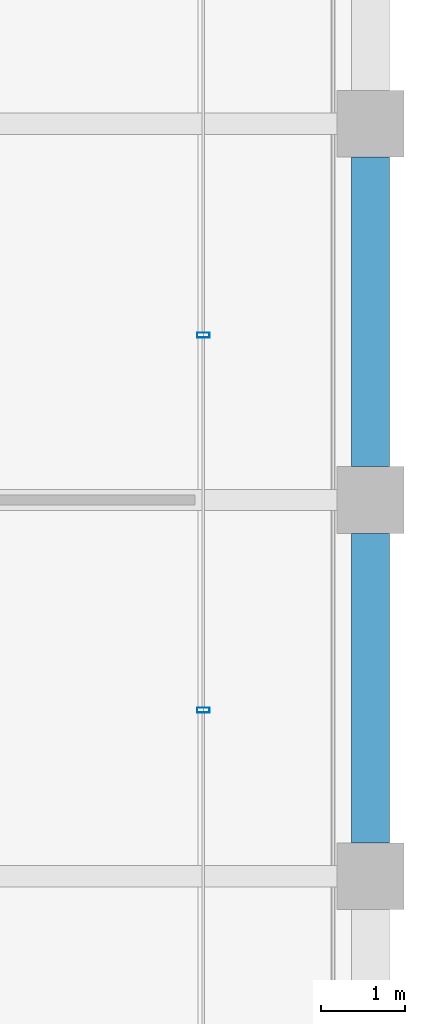
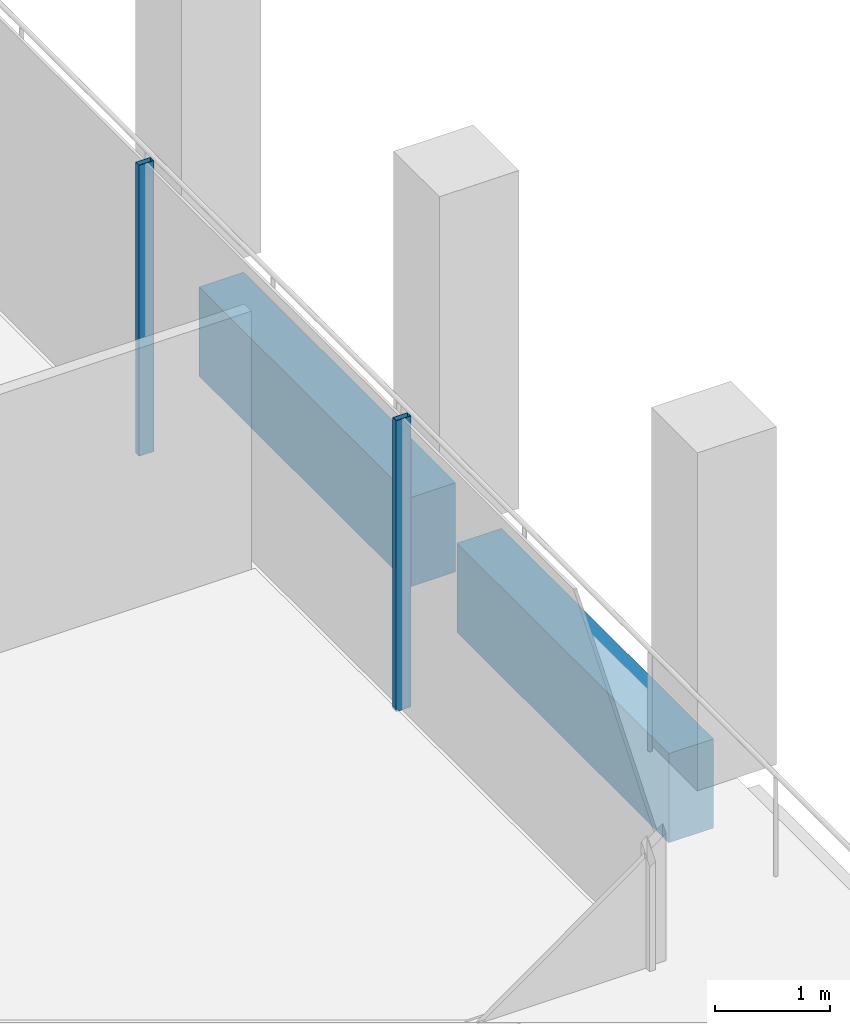
# One storey, part 15 of 30: 2 beams, 2 members, 1 element without a shape of its own.
"""IFC4 building model written with IfcOpenShell, lengths in metres."""

from ifc_helpers import new_model, si_unit, direction, frame, origin, origin_2d, place, context, subcontext, project, spatial, rectangle, hollow_rectangle, extrude, material, material_profile, profile_set, type_object, element, aggregate, save


model = new_model("IFC4")

# Units and contexts
model_context = context("Model", 3, precision=1e-05, world=origin(), true_north=direction((0.0, 1.0)))
body_context = subcontext(model_context, "Body", "Model", "MODEL_VIEW")
ifc_project = project(units=[si_unit("LENGTHUNIT", "METRE"), si_unit("AREAUNIT", "SQUARE_METRE"), si_unit("VOLUMEUNIT", "CUBIC_METRE"), si_unit("PLANEANGLEUNIT", "RADIAN"), si_unit("MASSUNIT", "GRAM", prefix="KILO")], contexts=[model_context])

# Site, building, storey
site_placement = place(None, origin())
site = spatial("IfcSite", under=ifc_project, at=site_placement, CompositionType="ELEMENT")
building_placement = place(site_placement, origin())
building = spatial("IfcBuilding", under=site, at=building_placement, Name="Altepetl Exchange Towers", CompositionType="ELEMENT")
storey_placement = place(building_placement, frame((0.0, 0.0, 231.60009765625)))
storey = spatial("IfcBuildingStorey", under=building, at=storey_placement, Name="L59", CompositionType="ELEMENT", Elevation=231.60009765625)

# Curtain wall, members
ifc_material_1 = material(Name="Aluminium 6063-T6 glazing", Category="aluminium")
curtain_wall_type = type_object("IfcCurtainWallType", Name="Loggia glazing system", PredefinedType="NOTDEFINED", material=ifc_material_1)
curtain_wall_placement = place(storey_placement, origin())
curtain_wall = element("IfcCurtainWall", 1, at=curtain_wall_placement, inside=storey, type_object=curtain_wall_type, Name="CW1 run", PredefinedType="NOTDEFINED")
ifc_material_2 = material(Name="Aluminium 6063-T6", Category="aluminium")
ifc_material_profile_1 = material_profile(ifc_material_2, hollow_rectangle(XDim=0.06005859375, YDim=0.14990234375, WallThickness=0.0029296875, at=origin_2d()), Name="Mullion 60x150 aluminium")
ifc_profile_set_1 = profile_set([ifc_material_profile_1], Name="Aluminium 6063-T6")
member_type = type_object("IfcMemberType", Name="Mullion 60x150 aluminium", PredefinedType="MULLION", material=ifc_profile_set_1)
member_1_placement = place(storey_placement, frame((70.0, 37.986083984375, 0.0), z_axis=(0.0, 0.0, 1.0), x_axis=(0.0, 1.0, 0.0)))
member_1 = element("IfcMember", 2, at=member_1_placement, type_object=member_type, Name="MU1 mullion", PredefinedType="MULLION", context=body_context, shape_type="SweptSolid", body=[
    extrude(hollow_rectangle(XDim=0.06005859375, YDim=0.14990234375, WallThickness=0.0029296875, at=origin_2d()), origin(), (0.0, 0.0, 1.0), 3.099853515625),
])
member_2_placement = place(storey_placement, frame((70.0, 42.471923828125, 0.0), z_axis=(0.0, 0.0, 1.0), x_axis=(0.0, 1.0, 0.0)))
member_2 = element("IfcMember", 3, at=member_2_placement, type_object=member_type, Name="MU1 mullion", PredefinedType="MULLION", context=body_context, shape_type="SweptSolid", body=[
    extrude(hollow_rectangle(XDim=0.06005859375, YDim=0.14990234375, WallThickness=0.0029296875, at=origin_2d()), origin(), (0.0, 0.0, 1.0), 3.099853515625),
])
aggregate(curtain_wall, [member_1, member_2])

# Beams
ifc_material_3 = material(Name="Concrete C50/60 precast with cantera amarilla facing", Category="concrete")
ifc_material_profile_2 = material_profile(ifc_material_3, rectangle(XDim=0.449951171875, YDim=0.949951171875, at=origin_2d()), Name="450 x 950")
ifc_profile_set_2 = profile_set([ifc_material_profile_2], Name="Concrete C50/60 precast with cantera amarilla facing")
beam_type = type_object("IfcBeamType", Name="Spandrel beam 450x950 cantera amarilla", PredefinedType="SPANDREL", material=ifc_profile_set_2)
for number, where, z_axis, x_axis, name in (
    (4, (72.0, 36.39990234375, -0.625), (0.0, 1.0, 0.0), (-1.0, 0.0, 0.0), "sp:A:L59:013"),
    (5, (72.0, 40.89990234375, -0.625), (0.0, 1.0, 0.0), (-1.0, 0.0, 0.0), "sp:A:L59:014"),
):
    element("IfcBeam", number, at=place(storey_placement, frame(where, z_axis=z_axis, x_axis=x_axis)), inside=storey, type_object=beam_type, Name=name, PredefinedType="SPANDREL", context=body_context, shape_type="SweptSolid", body=[
        extrude(rectangle(XDim=0.449951171875, YDim=0.949951171875, at=origin_2d()), origin(), (0.0, 0.0, 1.0), 3.7001953125),
    ])

save(model, "model.ifc")
